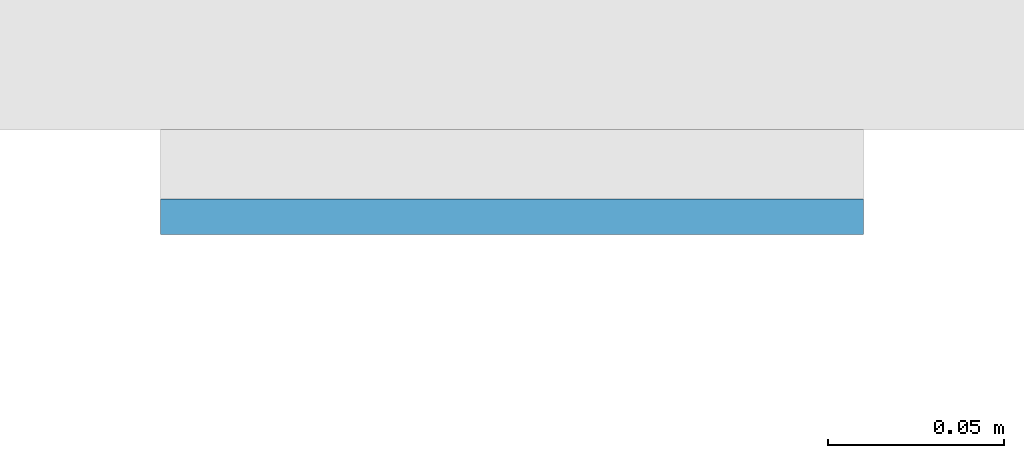
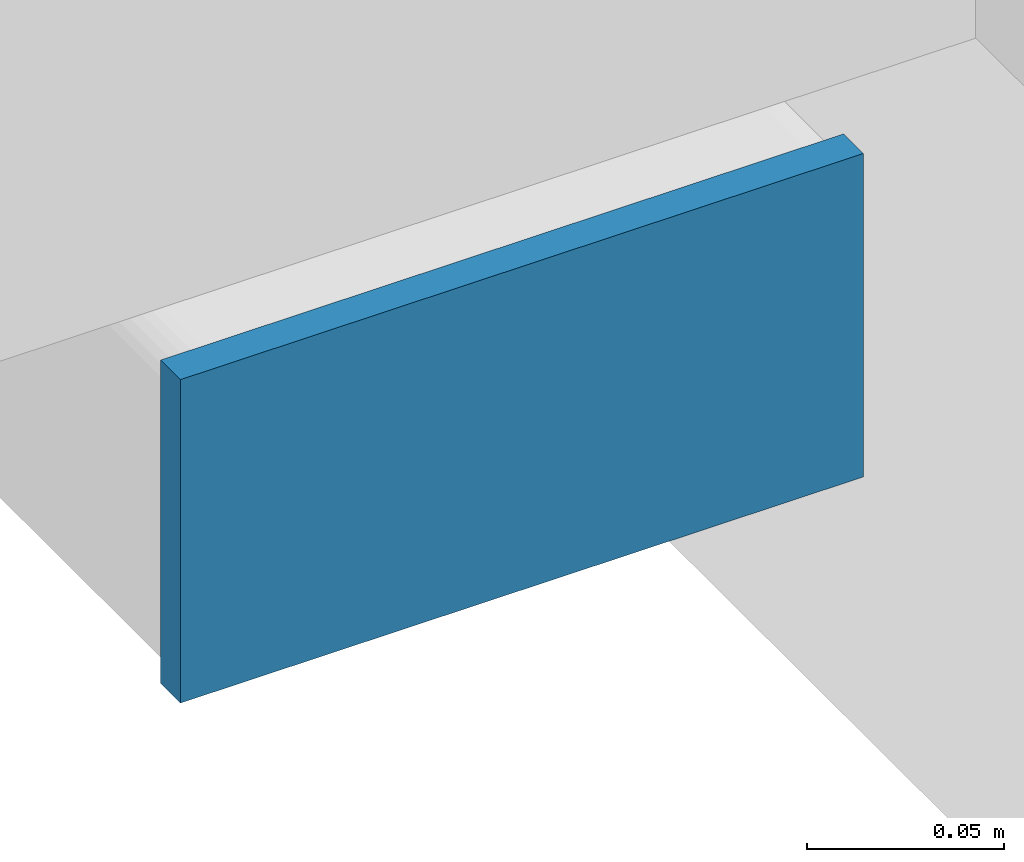
# One storey, part 8 of 20: 1 plate.
"""IFC4 building model written with IfcOpenShell, lengths in metres."""

from ifc_helpers import new_model, si_unit, direction, frame, origin, origin_2d, place, context, subcontext, project, spatial, rectangle, extrude, material, layer, layer_set, type_object, element, save


model = new_model("IFC4")

# Units and contexts
model_context = context("Model", 3, precision=1e-05, world=origin(), true_north=direction((0.0, 1.0)))
body_context = subcontext(model_context, "Body", "Model", "MODEL_VIEW")
ifc_project = project(units=[si_unit("LENGTHUNIT", "METRE"), si_unit("AREAUNIT", "SQUARE_METRE"), si_unit("VOLUMEUNIT", "CUBIC_METRE"), si_unit("PLANEANGLEUNIT", "RADIAN"), si_unit("MASSUNIT", "GRAM", prefix="KILO")], contexts=[model_context])

# Site, building, storey
site_placement = place(None, origin())
site = spatial("IfcSite", under=ifc_project, at=site_placement, CompositionType="ELEMENT")
building_placement = place(site_placement, origin())
building = spatial("IfcBuilding", under=site, at=building_placement, Name="Cleftline Residences", CompositionType="ELEMENT")
storey_placement = place(building_placement, frame((0.0, 0.0, 33.199951171875)))
storey = spatial("IfcBuildingStorey", under=building, at=storey_placement, Name="L07", CompositionType="ELEMENT", Elevation=33.199951171875)

# Plate
ifc_material = material(Name="Steel S355, hot-dip galvanised", Category="steel")
ifc_layer = layer(ifc_material, 0.010009765625)
ifc_layer_set = layer_set([ifc_layer], Name="BAGUETTE CARRIER END PLATE 200X100X10")
plate_type = type_object("IfcPlateType", Name="BAGUETTE CARRIER END PLATE 200X100X10", PredefinedType="USERDEFINED", material=ifc_layer_set)
plate_placement = place(storey_placement, frame((-0.85009765625, 3.695068359375, -0.10009765625), z_axis=(0.0, 0.0, 1.0), x_axis=(-1.0, 0.0, 0.0)))
element("IfcPlate", 1, at=plate_placement, inside=storey, type_object=plate_type, Name="Baguette carrier end plate", ObjectType="BAGUETTE CARRIER END PLATE", PredefinedType="USERDEFINED", context=body_context, shape_type="SweptSolid", body=[
    extrude(rectangle(XDim=0.199951171875, YDim=0.010009765625, at=origin_2d()), origin(), (0.0, 0.0, 1.0), 0.10009765625),
])

save(model, "model.ifc")
